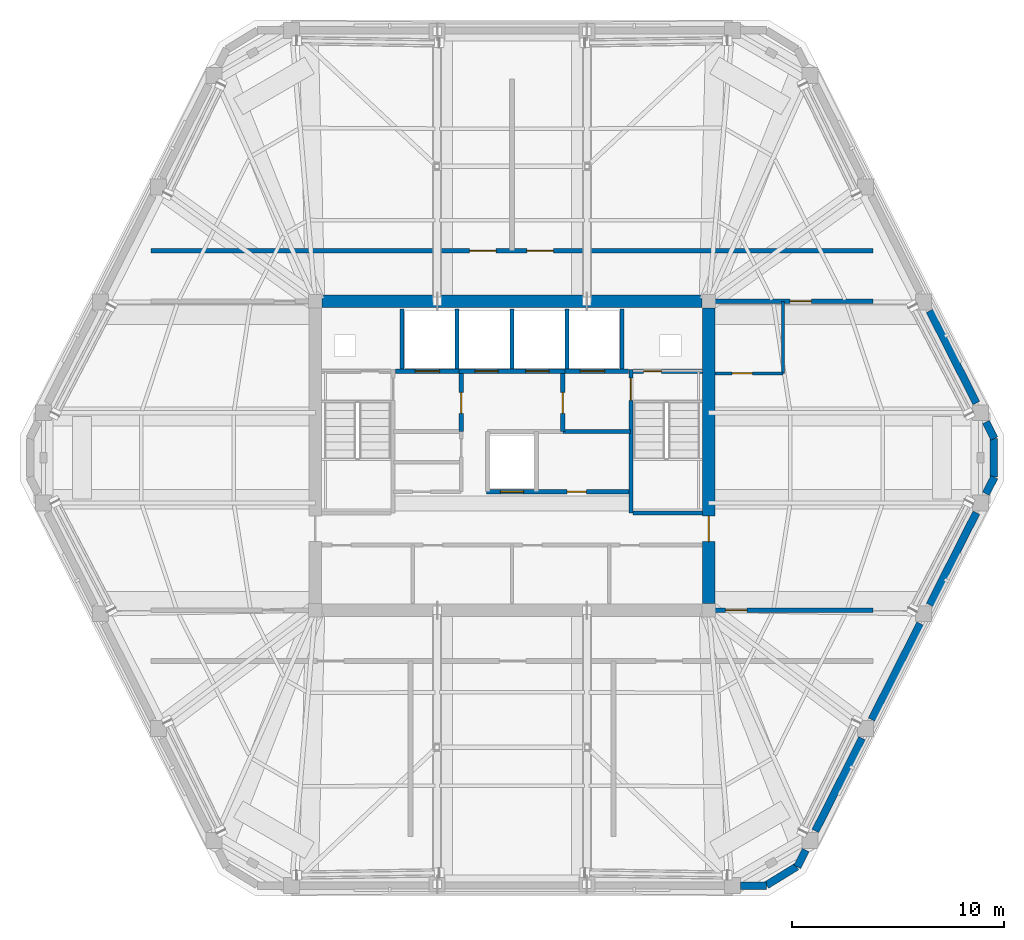
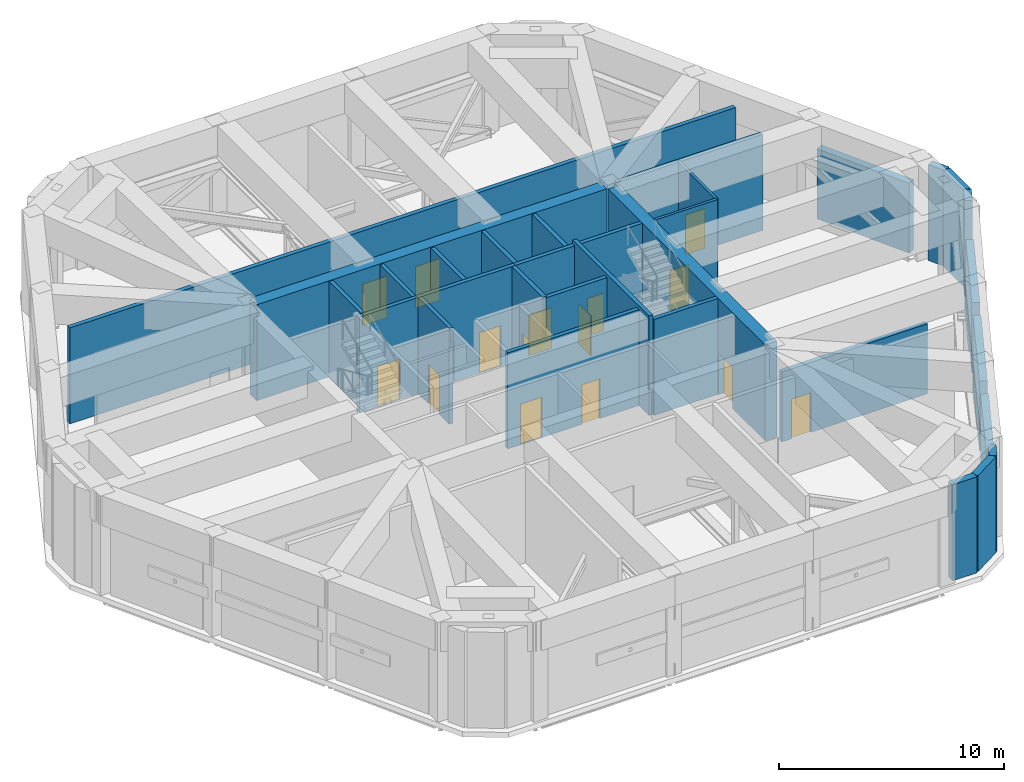
# One storey, part 11 of 15: 32 walls, 16 doors, 16 openings.
"""IFC4 building model written with IfcOpenShell, lengths in metres."""

from ifc_helpers import new_model, si_unit, direction, frame, frame_2d, origin, place, context, subcontext, project, spatial, rectangle, extrude, material, layer, layer_set, type_object, element, fill, save


model = new_model("IFC4")

# Units and contexts
model_context = context("Model", 3, precision=1e-05, world=origin(), true_north=direction((0.0, 1.0)))
body_context = subcontext(model_context, "Body", "Model", "MODEL_VIEW")
ifc_project = project(units=[si_unit("LENGTHUNIT", "METRE"), si_unit("AREAUNIT", "SQUARE_METRE"), si_unit("VOLUMEUNIT", "CUBIC_METRE"), si_unit("PLANEANGLEUNIT", "RADIAN"), si_unit("MASSUNIT", "GRAM", prefix="KILO")], contexts=[model_context])

# Site, building, storey
site_placement = place(None, origin())
site = spatial("IfcSite", under=ifc_project, at=site_placement, CompositionType="ELEMENT")
building_placement = place(site_placement, origin())
building = spatial("IfcBuilding", under=site, at=building_placement, Name="Cinnabar Lancet Tower", CompositionType="ELEMENT")
storey_placement = place(building_placement, frame((0.0, 0.0, 221.60009765625)))
storey = spatial("IfcBuildingStorey", under=building, at=storey_placement, Name="L59", CompositionType="ELEMENT", Elevation=221.60009765625)

# Wall, opening, door
ifc_material_1 = material(Name="Acoustic masonry plant room wall", Category="masonry")
ifc_layer_1 = layer(ifc_material_1, 0.219970703125)
ifc_layer_set_1 = layer_set([ifc_layer_1], Name="Acoustic masonry plant room wall")
wall_type_1 = type_object("IfcWallType", Name="ARC-WL-PLANT-220", PredefinedType="PARTITIONING", material=ifc_layer_set_1)
wall_1_placement = place(storey_placement, frame((42.0, 18.60009765625, 0.0), z_axis=(0.0, 0.0, 1.0), x_axis=(1.0, 0.0, 0.0)))
wall_1 = element("IfcWall", 1, at=wall_1_placement, inside=storey, type_object=wall_type_1, Name="PW-L59-RFES", PredefinedType="PARTITIONING", context=body_context, shape_type="SweptSolid", body=[
    extrude(rectangle(XDim=7.4580078125, YDim=0.219970703125, at=frame_2d((3.72900390625, 0.0))), origin(), (0.0, 0.0, 1.0), 3.789794921875),
])
opening_1_placement = place(wall_1_placement, frame((0.5, 0.0, 0.0)))
opening_1 = element("IfcOpeningElement", 2, at=opening_1_placement, cuts=wall_1, Name="Opening FD-01", PredefinedType="OPENING", context=body_context, shape_type="SweptSolid", body=[
    extrude(rectangle(XDim=1.0, YDim=2.14990234375, at=frame_2d((0.5, 1.074951171875))), frame((0.0, 0.119873046875, 0.0), z_axis=(0.0, -1.0, 0.0), x_axis=(1.0, 0.0, 0.0)), (0.0, 0.0, 1.0), 0.239990234375),
])
ifc_material_2 = material(Name="Fire-rated timber-core lobby door", Category="wood")
door_type_1 = type_object("IfcDoorType", Name="ARC-DR-FFAL", OperationType="NOTDEFINED", PredefinedType="DOOR", material=ifc_material_2)
door_1_placement = place(opening_1_placement, origin())
door_1 = element("IfcDoor", 3, at=door_1_placement, inside=storey, type_object=door_type_1, Name="L59 Plant Corridor Fire Door RES", OperationType="SINGLE_SWING_LEFT", OverallHeight=2.14990234375, OverallWidth=1.0, PredefinedType="DOOR", context=body_context, shape_type="SweptSolid", body=[
    extrude(rectangle(XDim=1.0, YDim=2.14990234375, at=frame_2d((0.5, 1.074951171875))), frame((0.0, 0.02490234375, 0.0), z_axis=(0.0, -1.0, 0.0), x_axis=(1.0, 0.0, 0.0)), (0.0, 0.0, 1.0), 0.050048828125),
])
fill(opening_1, door_1)

wall_2_placement = place(storey_placement, frame((42.0, 33.199951171875, 0.0), z_axis=(0.0, 0.0, 1.0), x_axis=(1.0, 0.0, 0.0)))
wall_2 = element("IfcWall", 4, at=wall_2_placement, inside=storey, type_object=wall_type_1, Name="PW-L59-RFEN", PredefinedType="PARTITIONING", context=body_context, shape_type="SweptSolid", body=[
    extrude(rectangle(XDim=7.4580078125, YDim=0.219970703125, at=frame_2d((3.72900390625, 0.0))), origin(), (0.0, 0.0, 1.0), 5.199951171875),
])
opening_2_placement = place(wall_2_placement, frame((3.550048828125, 0.0, 0.0)))
opening_2 = element("IfcOpeningElement", 5, at=opening_2_placement, cuts=wall_2, Name="Opening FD-01", PredefinedType="OPENING", context=body_context, shape_type="SweptSolid", body=[
    extrude(rectangle(XDim=1.0, YDim=2.14990234375, at=frame_2d((0.5, 1.074951171875))), frame((0.0, 0.119873046875, 0.0), z_axis=(0.0, -1.0, 0.0), x_axis=(1.0, 0.0, 0.0)), (0.0, 0.0, 1.0), 0.239990234375),
])
door_2_placement = place(opening_2_placement, origin())
door_2 = element("IfcDoor", 6, at=door_2_placement, inside=storey, type_object=door_type_1, Name="L59 Plant Corridor Fire Door REN", OperationType="SINGLE_SWING_LEFT", OverallHeight=2.14990234375, OverallWidth=1.0, PredefinedType="DOOR", context=body_context, shape_type="SweptSolid", body=[
    extrude(rectangle(XDim=1.0, YDim=2.14990234375, at=frame_2d((0.5, 1.074951171875))), frame((0.0, 0.02490234375, 0.0), z_axis=(0.0, -1.0, 0.0), x_axis=(1.0, 0.0, 0.0)), (0.0, 0.0, 1.0), 0.050048828125),
])
fill(opening_2, door_2)

# Wall, openings, doors
wall_3_placement = place(storey_placement, frame((15.342041015625, 35.60009765625, 0.0), z_axis=(0.0, 0.0, 1.0), x_axis=(1.0, 0.0, 0.0)))
wall_3 = element("IfcWall", 7, at=wall_3_placement, inside=storey, type_object=wall_type_1, Name="PW-L59-NPLN", PredefinedType="PARTITIONING", context=body_context, shape_type="SweptSolid", body=[
    extrude(rectangle(XDim=34.115966796875, YDim=0.219970703125, at=frame_2d((17.05810546875, 0.0))), origin(), (0.0, 0.0, 1.0), 5.199951171875),
])
opening_3_placement = place(wall_3_placement, frame((15.05810546875, 0.0, 0.0)))
opening_3 = element("IfcOpeningElement", 8, at=opening_3_placement, cuts=wall_3, Name="Opening PD-01", PredefinedType="OPENING", context=body_context, shape_type="SweptSolid", body=[
    extrude(rectangle(XDim=1.25, YDim=2.25, at=frame_2d((0.625, 1.125))), frame((0.0, 0.119873046875, 0.0), z_axis=(0.0, -1.0, 0.0), x_axis=(1.0, 0.0, 0.0)), (0.0, 0.0, 1.0), 0.239990234375),
])
opening_4_placement = place(wall_3_placement, frame((17.758056640625, 0.0, 0.0)))
opening_4 = element("IfcOpeningElement", 9, at=opening_4_placement, cuts=wall_3, Name="Opening PD-01", PredefinedType="OPENING", context=body_context, shape_type="SweptSolid", body=[
    extrude(rectangle(XDim=1.25, YDim=2.25, at=frame_2d((0.625, 1.125))), frame((0.0, 0.119873046875, 0.0), z_axis=(0.0, -1.0, 0.0), x_axis=(1.0, 0.0, 0.0)), (0.0, 0.0, 1.0), 0.239990234375),
])
ifc_material_3 = material(Name="Louvred fire-rated steel plant room double door", Category="steel")
door_type_2 = type_object("IfcDoorType", Name="ARC-DR-PLANT", OperationType="NOTDEFINED", PredefinedType="DOOR", material=ifc_material_3)
door_3_placement = place(opening_3_placement, origin())
door_3 = element("IfcDoor", 10, at=door_3_placement, inside=storey, type_object=door_type_2, Name="DR-L59-NPL1", OperationType="SINGLE_SWING_RIGHT", OverallHeight=2.25, OverallWidth=1.25, PredefinedType="DOOR", context=body_context, shape_type="SweptSolid", body=[
    extrude(rectangle(XDim=1.25, YDim=2.25, at=frame_2d((0.625, 1.125))), frame((0.0, 0.02490234375, 0.0), z_axis=(0.0, -1.0, 0.0), x_axis=(1.0, 0.0, 0.0)), (0.0, 0.0, 1.0), 0.050048828125),
])
fill(opening_3, door_3)
door_4_placement = place(opening_4_placement, origin())
door_4 = element("IfcDoor", 11, at=door_4_placement, inside=storey, type_object=door_type_2, Name="DR-L59-NPL2", OperationType="SINGLE_SWING_RIGHT", OverallHeight=2.25, OverallWidth=1.25, PredefinedType="DOOR", context=body_context, shape_type="SweptSolid", body=[
    extrude(rectangle(XDim=1.25, YDim=2.25, at=frame_2d((0.625, 1.125))), frame((0.0, 0.02490234375, 0.0), z_axis=(0.0, -1.0, 0.0), x_axis=(1.0, 0.0, 0.0)), (0.0, 0.0, 1.0), 0.050048828125),
])
fill(opening_4, door_4)

# Wall
ifc_material_4 = material(Name="Autoclaved aerated concrete blockwork", Category="masonry")
ifc_layer_2 = layer(ifc_material_4, 0.199951171875)
ifc_layer_set_2 = layer_set([ifc_layer_2], Name="Autoclaved aerated concrete blockwork")
wall_type_2 = type_object("IfcWallType", Name="ARC-WL-SHAFT-200", PredefinedType="PLUMBINGWALL", material=ifc_layer_set_2)
wall_4_placement = place(storey_placement, frame((38.125, 23.199951171875, 0.0), z_axis=(0.0, 0.0, 1.0), x_axis=(1.0, 0.0, 0.0)))
element("IfcWall", 12, at=wall_4_placement, inside=storey, type_object=wall_type_2, Name="CW-ST2S-L59", PredefinedType="PLUMBINGWALL", context=body_context, shape_type="SweptSolid", body=[
    extrude(rectangle(XDim=3.27001953125, YDim=0.199951171875, at=frame_2d((1.635009765625, 0.0))), origin(), (0.0, 0.0, 1.0), 5.199951171875),
])

# Wall, opening, door
wall_5_placement = place(storey_placement, frame((26.885009765625, 29.89990234375, 0.0), z_axis=(0.0, 0.0, 1.0), x_axis=(1.0, 0.0, 0.0)))
wall_5 = element("IfcWall", 13, at=wall_5_placement, inside=storey, type_object=wall_type_2, Name="CW-FL1-L59", PredefinedType="PLUMBINGWALL", context=body_context, shape_type="SweptSolid", body=[
    extrude(rectangle(XDim=3.014892578125, YDim=0.199951171875, at=frame_2d((1.50732421875, 0.0))), origin(), (0.0, 0.0, 1.0), 5.199951171875),
])
opening_5_placement = place(wall_5_placement, frame((0.93994140625, 0.0, 0.0)))
opening_5 = element("IfcOpeningElement", 14, at=opening_5_placement, cuts=wall_5, Name="Opening LD-02", PredefinedType="OPENING", context=body_context, shape_type="SweptSolid", body=[
    extrude(rectangle(XDim=1.14990234375, YDim=2.199951171875, at=frame_2d((0.574951171875, 1.10009765625))), frame((0.0, 0.10986328125, 0.0), z_axis=(0.0, -1.0, 0.0), x_axis=(1.0, 0.0, 0.0)), (0.0, 0.0, 1.0), 0.219970703125),
])
ifc_material_5 = material(Name="Fire-rated stainless steel firefighting lift landing door", Category="steel")
door_type_3 = type_object("IfcDoorType", Name="ARC-DR-LD-FIRE", OperationType="NOTDEFINED", PredefinedType="DOOR", material=ifc_material_5)
door_5_placement = place(opening_5_placement, origin())
door_5 = element("IfcDoor", 15, at=door_5_placement, inside=storey, type_object=door_type_3, Name="L59 Firefighting Lift FL-1 Landing Door", OperationType="DOUBLE_DOOR_SLIDING", OverallHeight=2.199951171875, OverallWidth=1.14990234375, PredefinedType="DOOR", context=body_context, shape_type="SweptSolid", body=[
    extrude(rectangle(XDim=1.14990234375, YDim=2.199951171875, at=frame_2d((0.574951171875, 1.10009765625))), frame((0.0, 0.02490234375, 0.0), z_axis=(0.0, -1.0, 0.0), x_axis=(1.0, 0.0, 0.0)), (0.0, 0.0, 1.0), 0.050048828125),
])
fill(opening_5, door_5)

# Wall, openings, doors
wall_6_placement = place(storey_placement, frame((29.89990234375, 29.89990234375, 0.0), z_axis=(0.0, 0.0, 1.0), x_axis=(1.0, 0.0, 0.0)))
wall_6 = element("IfcWall", 16, at=wall_6_placement, inside=storey, type_object=wall_type_2, Name="CW-PL78-L59", PredefinedType="PLUMBINGWALL", context=body_context, shape_type="SweptSolid", body=[
    extrude(rectangle(XDim=5.0, YDim=0.199951171875, at=frame_2d((2.5, 0.0))), origin(), (0.0, 0.0, 1.0), 5.199951171875),
])
opening_6_placement = place(wall_6_placement, frame((0.75, 0.0, 0.0)))
opening_6 = element("IfcOpeningElement", 17, at=opening_6_placement, cuts=wall_6, Name="Opening LD-01", PredefinedType="OPENING", context=body_context, shape_type="SweptSolid", body=[
    extrude(rectangle(XDim=1.10009765625, YDim=2.199951171875, at=frame_2d((0.550048828125, 1.10009765625))), frame((0.0, 0.10986328125, 0.0), z_axis=(0.0, -1.0, 0.0), x_axis=(1.0, 0.0, 0.0)), (0.0, 0.0, 1.0), 0.219970703125),
])
opening_7_placement = place(wall_6_placement, frame((3.14990234375, 0.0, 0.0)))
opening_7 = element("IfcOpeningElement", 18, at=opening_7_placement, cuts=wall_6, Name="Opening LD-01", PredefinedType="OPENING", context=body_context, shape_type="SweptSolid", body=[
    extrude(rectangle(XDim=1.10009765625, YDim=2.199951171875, at=frame_2d((0.550048828125, 1.10009765625))), frame((0.0, 0.10986328125, 0.0), z_axis=(0.0, -1.0, 0.0), x_axis=(1.0, 0.0, 0.0)), (0.0, 0.0, 1.0), 0.219970703125),
])
ifc_material_6 = material(Name="Brushed stainless steel sliding lift door", Category="steel")
door_type_4 = type_object("IfcDoorType", Name="ARC-DR-LD-PASS", OperationType="NOTDEFINED", PredefinedType="DOOR", material=ifc_material_6)
door_6_placement = place(opening_6_placement, origin())
door_6 = element("IfcDoor", 19, at=door_6_placement, inside=storey, type_object=door_type_4, Name="L59 Lift PL-7 Landing Door", OperationType="DOUBLE_DOOR_SLIDING", OverallHeight=2.199951171875, OverallWidth=1.10009765625, PredefinedType="DOOR", context=body_context, shape_type="SweptSolid", body=[
    extrude(rectangle(XDim=1.10009765625, YDim=2.199951171875, at=frame_2d((0.550048828125, 1.10009765625))), frame((0.0, 0.02490234375, 0.0), z_axis=(0.0, -1.0, 0.0), x_axis=(1.0, 0.0, 0.0)), (0.0, 0.0, 1.0), 0.050048828125),
])
fill(opening_6, door_6)
door_7_placement = place(opening_7_placement, origin())
door_7 = element("IfcDoor", 20, at=door_7_placement, inside=storey, type_object=door_type_4, Name="L59 Lift PL-8 Landing Door", OperationType="DOUBLE_DOOR_SLIDING", OverallHeight=2.199951171875, OverallWidth=1.10009765625, PredefinedType="DOOR", context=body_context, shape_type="SweptSolid", body=[
    extrude(rectangle(XDim=1.10009765625, YDim=2.199951171875, at=frame_2d((0.550048828125, 1.10009765625))), frame((0.0, 0.02490234375, 0.0), z_axis=(0.0, -1.0, 0.0), x_axis=(1.0, 0.0, 0.0)), (0.0, 0.0, 1.0), 0.050048828125),
])
fill(opening_7, door_7)

# Wall, opening, door
wall_7_placement = place(storey_placement, frame((34.89990234375, 29.89990234375, 0.0), z_axis=(0.0, 0.0, 1.0), x_axis=(1.0, 0.0, 0.0)))
wall_7 = element("IfcWall", 21, at=wall_7_placement, inside=storey, type_object=wall_type_2, Name="CW-FL2-L59", PredefinedType="PLUMBINGWALL", context=body_context, shape_type="SweptSolid", body=[
    extrude(rectangle(XDim=3.01513671875, YDim=0.199951171875, at=frame_2d((1.507568359375, 0.0))), origin(), (0.0, 0.0, 1.0), 5.199951171875),
])
opening_8_placement = place(wall_7_placement, frame((0.72509765625, 0.0, 0.0)))
opening_8 = element("IfcOpeningElement", 22, at=opening_8_placement, cuts=wall_7, Name="Opening LD-02", PredefinedType="OPENING", context=body_context, shape_type="SweptSolid", body=[
    extrude(rectangle(XDim=1.14990234375, YDim=2.199951171875, at=frame_2d((0.574951171875, 1.10009765625))), frame((0.0, 0.10986328125, 0.0), z_axis=(0.0, -1.0, 0.0), x_axis=(1.0, 0.0, 0.0)), (0.0, 0.0, 1.0), 0.219970703125),
])
door_8_placement = place(opening_8_placement, origin())
door_8 = element("IfcDoor", 23, at=door_8_placement, inside=storey, type_object=door_type_3, Name="L59 Firefighting Lift FL-2 Landing Door", OperationType="DOUBLE_DOOR_SLIDING", OverallHeight=2.199951171875, OverallWidth=1.14990234375, PredefinedType="DOOR", context=body_context, shape_type="SweptSolid", body=[
    extrude(rectangle(XDim=1.14990234375, YDim=2.199951171875, at=frame_2d((0.574951171875, 1.10009765625))), frame((0.0, 0.02490234375, 0.0), z_axis=(0.0, -1.0, 0.0), x_axis=(1.0, 0.0, 0.0)), (0.0, 0.0, 1.0), 0.050048828125),
])
fill(opening_8, door_8)

wall_8_placement = place(storey_placement, frame((38.125, 29.89990234375, 0.0), z_axis=(0.0, 0.0, 1.0), x_axis=(1.0, 0.0, 0.0)))
wall_8 = element("IfcWall", 24, at=wall_8_placement, inside=storey, type_object=wall_type_2, Name="CW-NSH-E-L59", PredefinedType="PLUMBINGWALL", context=body_context, shape_type="SweptSolid", body=[
    extrude(rectangle(XDim=3.27001953125, YDim=0.199951171875, at=frame_2d((1.635009765625, 0.0))), origin(), (0.0, 0.0, 1.0), 5.199951171875),
])
opening_9_placement = place(wall_8_placement, frame((0.5, 0.0, 0.0)))
opening_9 = element("IfcOpeningElement", 25, at=opening_9_placement, cuts=wall_8, Name="Opening PD-02", PredefinedType="OPENING", context=body_context, shape_type="SweptSolid", body=[
    extrude(rectangle(XDim=0.85009765625, YDim=2.050048828125, at=frame_2d((0.425048828125, 1.02490234375))), frame((0.0, 0.10986328125, 0.0), z_axis=(0.0, -1.0, 0.0), x_axis=(1.0, 0.0, 0.0)), (0.0, 0.0, 1.0), 0.219970703125),
])
ifc_material_7 = material(Name="Fire-rated steel riser access door", Category="steel")
door_type_5 = type_object("IfcDoorType", Name="ARC-DR-RISER", OperationType="NOTDEFINED", PredefinedType="DOOR", material=ifc_material_7)
door_9_placement = place(opening_9_placement, origin())
door_9 = element("IfcDoor", 26, at=door_9_placement, inside=storey, type_object=door_type_5, Name="L59 East Riser Access Door", OperationType="SINGLE_SWING_RIGHT", OverallHeight=2.050048828125, OverallWidth=0.85009765625, PredefinedType="DOOR", context=body_context, shape_type="SweptSolid", body=[
    extrude(rectangle(XDim=0.85009765625, YDim=2.050048828125, at=frame_2d((0.425048828125, 1.02490234375))), frame((0.0, 0.02490234375, 0.0), z_axis=(0.0, -1.0, 0.0), x_axis=(1.0, 0.0, 0.0)), (0.0, 0.0, 1.0), 0.050048828125),
])
fill(opening_9, door_9)

# Walls
for number, where, z_axis, x_axis, name in (
    (27, (27.199951171875, 30.0, 0.0), (0.0, 0.0, 1.0), (0.0, 1.0, 0.0), "CW-NSH-D1-L59"),
    (28, (29.800048828125, 30.0, 0.0), (0.0, 0.0, 1.0), (0.0, 1.0, 0.0), "CW-NSH-D2-L59"),
    (29, (32.39990234375, 30.0, 0.0), (0.0, 0.0, 1.0), (0.0, 1.0, 0.0), "CW-NSH-D3-L59"),
    (30, (35.0, 30.0, 0.0), (0.0, 0.0, 1.0), (0.0, 1.0, 0.0), "CW-NSH-D4-L59"),
    (31, (37.60009765625, 30.0, 0.0), (0.0, 0.0, 1.0), (0.0, 1.0, 0.0), "CW-NSH-D5-L59"),
):
    element("IfcWall", number, at=place(storey_placement, frame(where, z_axis=z_axis, x_axis=x_axis)), inside=storey, type_object=wall_type_2, Name=name, PredefinedType="PLUMBINGWALL", context=body_context, shape_type="SweptSolid", body=[
        extrude(rectangle(XDim=2.85009765625, YDim=0.199951171875, at=frame_2d((1.425048828125, 0.0))), origin(), (0.0, 0.0, 1.0), 5.199951171875),
    ])

# Wall, opening, door
wall_9_placement = place(storey_placement, frame((30.0, 27.050048828125, 0.0), z_axis=(0.0, 0.0, 1.0), x_axis=(0.0, 1.0, 0.0)))
wall_9 = element("IfcWall", 32, at=wall_9_placement, inside=storey, type_object=wall_type_2, Name="CW-FF1E-L59", PredefinedType="PLUMBINGWALL", context=body_context, shape_type="SweptSolid", body=[
    extrude(rectangle(XDim=2.75, YDim=0.199951171875, at=frame_2d((1.375, 0.0))), origin(), (0.0, 0.0, 1.0), 5.199951171875),
])
opening_10_placement = place(wall_9_placement, frame((0.85009765625, 0.0, 0.0)))
opening_10 = element("IfcOpeningElement", 33, at=opening_10_placement, cuts=wall_9, Name="Opening FD-01", PredefinedType="OPENING", context=body_context, shape_type="SweptSolid", body=[
    extrude(rectangle(XDim=1.0, YDim=2.14990234375, at=frame_2d((0.5, 1.074951171875))), frame((0.0, 0.10986328125, 0.0), z_axis=(0.0, -1.0, 0.0), x_axis=(1.0, 0.0, 0.0)), (0.0, 0.0, 1.0), 0.219970703125),
])
door_10_placement = place(opening_10_placement, origin())
door_10 = element("IfcDoor", 34, at=door_10_placement, inside=storey, type_object=door_type_1, Name="L59 FFAL-1 Lobby Fire Door", OperationType="SINGLE_SWING_RIGHT", OverallHeight=2.14990234375, OverallWidth=1.0, PredefinedType="DOOR", context=body_context, shape_type="SweptSolid", body=[
    extrude(rectangle(XDim=1.0, YDim=2.14990234375, at=frame_2d((0.5, 1.074951171875))), frame((0.0, 0.02490234375, 0.0), z_axis=(0.0, -1.0, 0.0), x_axis=(1.0, 0.0, 0.0)), (0.0, 0.0, 1.0), 0.050048828125),
])
fill(opening_10, door_10)

wall_10_placement = place(storey_placement, frame((34.800048828125, 27.050048828125, 0.0), z_axis=(0.0, 0.0, 1.0), x_axis=(0.0, 1.0, 0.0)))
wall_10 = element("IfcWall", 35, at=wall_10_placement, inside=storey, type_object=wall_type_2, Name="CW-FF2W-L59", PredefinedType="PLUMBINGWALL", context=body_context, shape_type="SweptSolid", body=[
    extrude(rectangle(XDim=2.75, YDim=0.199951171875, at=frame_2d((1.375, 0.0))), origin(), (0.0, 0.0, 1.0), 5.199951171875),
])
opening_11_placement = place(wall_10_placement, frame((0.85009765625, 0.0, 0.0)))
opening_11 = element("IfcOpeningElement", 36, at=opening_11_placement, cuts=wall_10, Name="Opening FD-01", PredefinedType="OPENING", context=body_context, shape_type="SweptSolid", body=[
    extrude(rectangle(XDim=1.0, YDim=2.14990234375, at=frame_2d((0.5, 1.074951171875))), frame((0.0, 0.10986328125, 0.0), z_axis=(0.0, -1.0, 0.0), x_axis=(1.0, 0.0, 0.0)), (0.0, 0.0, 1.0), 0.219970703125),
])
door_11_placement = place(opening_11_placement, origin())
door_11 = element("IfcDoor", 37, at=door_11_placement, inside=storey, type_object=door_type_1, Name="L59 FFAL-2 Lobby Fire Door", OperationType="SINGLE_SWING_LEFT", OverallHeight=2.14990234375, OverallWidth=1.0, PredefinedType="DOOR", context=body_context, shape_type="SweptSolid", body=[
    extrude(rectangle(XDim=1.0, YDim=2.14990234375, at=frame_2d((0.5, 1.074951171875))), frame((0.0, 0.02490234375, 0.0), z_axis=(0.0, -1.0, 0.0), x_axis=(1.0, 0.0, 0.0)), (0.0, 0.0, 1.0), 0.050048828125),
])
fill(opening_11, door_11)

# Wall
wall_11_placement = place(storey_placement, frame((34.800048828125, 27.050048828125, 0.0), z_axis=(0.0, 0.0, 1.0), x_axis=(1.0, 0.0, 0.0)))
element("IfcWall", 38, at=wall_11_placement, inside=storey, type_object=wall_type_2, Name="CW-FF2S-L59", PredefinedType="PLUMBINGWALL", context=body_context, shape_type="SweptSolid", body=[
    extrude(rectangle(XDim=3.199951171875, YDim=0.199951171875, at=frame_2d((1.60009765625, 0.0))), origin(), (0.0, 0.0, 1.0), 5.199951171875),
])

# Wall, openings, doors
wall_12_placement = place(storey_placement, frame((31.199951171875, 24.199951171875, 0.0), z_axis=(0.0, 0.0, 1.0), x_axis=(1.0, 0.0, 0.0)))
wall_12 = element("IfcWall", 39, at=wall_12_placement, inside=storey, type_object=wall_type_2, Name="CW-PL96S-L59", PredefinedType="PLUMBINGWALL", context=body_context, shape_type="SweptSolid", body=[
    extrude(rectangle(XDim=6.800048828125, YDim=0.199951171875, at=frame_2d((3.39990234375, 0.0))), origin(), (0.0, 0.0, 1.0), 5.199951171875),
])
opening_12_placement = place(wall_12_placement, frame((0.64990234375, 0.0, 0.0)))
opening_12 = element("IfcOpeningElement", 40, at=opening_12_placement, cuts=wall_12, Name="Opening LD-01", PredefinedType="OPENING", context=body_context, shape_type="SweptSolid", body=[
    extrude(rectangle(XDim=1.10009765625, YDim=2.199951171875, at=frame_2d((0.550048828125, 1.10009765625))), frame((0.0, 0.10986328125, 0.0), z_axis=(0.0, -1.0, 0.0), x_axis=(1.0, 0.0, 0.0)), (0.0, 0.0, 1.0), 0.219970703125),
])
opening_13_placement = place(wall_12_placement, frame((3.800048828125, 0.0, 0.0)))
opening_13 = element("IfcOpeningElement", 41, at=opening_13_placement, cuts=wall_12, Name="Opening RD-01", PredefinedType="OPENING", context=body_context, shape_type="SweptSolid", body=[
    extrude(rectangle(XDim=0.919921875, YDim=2.14990234375, at=frame_2d((0.4599609375, 1.074951171875))), frame((0.0, 0.10986328125, 0.0), z_axis=(0.0, -1.0, 0.0), x_axis=(1.0, 0.0, 0.0)), (0.0, 0.0, 1.0), 0.219970703125),
])
door_12_placement = place(opening_12_placement, origin())
door_12 = element("IfcDoor", 42, at=door_12_placement, inside=storey, type_object=door_type_4, Name="L59 Lift PL-9 Landing Door", OperationType="DOUBLE_DOOR_SLIDING", OverallHeight=2.199951171875, OverallWidth=1.10009765625, PredefinedType="DOOR", context=body_context, shape_type="SweptSolid", body=[
    extrude(rectangle(XDim=1.10009765625, YDim=2.199951171875, at=frame_2d((0.550048828125, 1.10009765625))), frame((0.0, 0.02490234375, 0.0), z_axis=(0.0, -1.0, 0.0), x_axis=(1.0, 0.0, 0.0)), (0.0, 0.0, 1.0), 0.050048828125),
])
fill(opening_12, door_12)
ifc_material_8 = material(Name="Engineered timber bedroom door", Category="wood")
door_type_6 = type_object("IfcDoorType", Name="ARC-DR-ROOM", OperationType="NOTDEFINED", PredefinedType="DOOR", material=ifc_material_8)
door_13_placement = place(opening_13_placement, origin())
door_13 = element("IfcDoor", 43, at=door_13_placement, inside=storey, type_object=door_type_6, Name="DR-L59-REC6", OperationType="SINGLE_SWING_RIGHT", OverallHeight=2.14990234375, OverallWidth=0.919921875, PredefinedType="DOOR", context=body_context, shape_type="SweptSolid", body=[
    extrude(rectangle(XDim=0.919921875, YDim=2.14990234375, at=frame_2d((0.4599609375, 1.074951171875))), frame((0.0, 0.02490234375, 0.0), z_axis=(0.0, -1.0, 0.0), x_axis=(1.0, 0.0, 0.0)), (0.0, 0.0, 1.0), 0.050048828125),
])
fill(opening_13, door_13)

# Wall, opening, door
ifc_material_9 = material(Name="Moisture-resistant cement-board plumbing wall", Category="masonry")
ifc_layer_3 = layer(ifc_material_9, 0.139892578125)
ifc_layer_set_3 = layer_set([ifc_layer_3], Name="Moisture-resistant cement-board plumbing wall")
wall_type_3 = type_object("IfcWallType", Name="ARC-WL-WET-140", PredefinedType="PLUMBINGWALL", material=ifc_layer_set_3)
wall_13_placement = place(storey_placement, frame((42.0, 29.800048828125, 0.0), z_axis=(0.0, 0.0, 1.0), x_axis=(1.0, 0.0, 0.0)))
wall_13 = element("IfcWall", 44, at=wall_13_placement, inside=storey, type_object=wall_type_3, Name="PW-L59-RFWCS", PredefinedType="PLUMBINGWALL", context=body_context, shape_type="SweptSolid", body=[
    extrude(rectangle(XDim=3.199951171875, YDim=0.139892578125, at=frame_2d((1.60009765625, 0.0))), origin(), (0.0, 0.0, 1.0), 5.199951171875),
])
opening_14_placement = place(wall_13_placement, frame((0.800048828125, 0.0, 0.0)))
opening_14 = element("IfcOpeningElement", 45, at=opening_14_placement, cuts=wall_13, Name="Opening BD-02", PredefinedType="OPENING", context=body_context, shape_type="SweptSolid", body=[
    extrude(rectangle(XDim=0.9599609375, YDim=2.14990234375, at=frame_2d((0.47998046875, 1.074951171875))), frame((0.0, 0.079833984375, 0.0), z_axis=(0.0, -1.0, 0.0), x_axis=(1.0, 0.0, 0.0)), (0.0, 0.0, 1.0), 0.159912109375),
])
ifc_material_10 = material(Name="Accessible wide-leaf washroom door", Category="wood")
door_type_7 = type_object("IfcDoorType", Name="ARC-DR-ACCWC", OperationType="NOTDEFINED", PredefinedType="DOOR", material=ifc_material_10)
door_14_placement = place(opening_14_placement, origin())
door_14 = element("IfcDoor", 46, at=door_14_placement, inside=storey, type_object=door_type_7, Name="DR-L59-RFWC", OperationType="SINGLE_SWING_LEFT", OverallHeight=2.14990234375, OverallWidth=0.9599609375, PredefinedType="DOOR", context=body_context, shape_type="SweptSolid", body=[
    extrude(rectangle(XDim=0.9599609375, YDim=2.14990234375, at=frame_2d((0.47998046875, 1.074951171875))), frame((0.0, 0.02490234375, 0.0), z_axis=(0.0, -1.0, 0.0), x_axis=(1.0, 0.0, 0.0)), (0.0, 0.0, 1.0), 0.050048828125),
])
fill(opening_14, door_14)

# Walls
wall_14_placement = place(storey_placement, frame((45.199951171875, 29.800048828125, 0.0), z_axis=(0.0, 0.0, 1.0), x_axis=(0.0, 1.0, 0.0)))
element("IfcWall", 47, at=wall_14_placement, inside=storey, type_object=wall_type_3, Name="PW-L59-RFWCE", PredefinedType="PLUMBINGWALL", context=body_context, shape_type="SweptSolid", body=[
    extrude(rectangle(XDim=3.39990234375, YDim=0.139892578125, at=frame_2d((1.699951171875, 0.0))), origin(), (0.0, 0.0, 1.0), 5.199951171875),
])
ifc_material_11 = material(Name="Dark charcoal engineering brick", Category="masonry")
ifc_layer_4 = layer(ifc_material_11, 0.360107421875)
ifc_layer_set_4 = layer_set([ifc_layer_4], Name="Dark charcoal engineering brick")
wall_type_4 = type_object("IfcWallType", Name="ENV-WL-BRK-CHR-360", PredefinedType="STANDARD", material=ifc_layer_set_4)
wall_15_placement = place(storey_placement, frame((44.43505859375, 5.60693359375, 0.0), z_axis=(0.0, 0.0, 1.0), x_axis=(0.852179220489, 0.52325001306, 0.0)))
element("IfcWall", 48, at=wall_15_placement, inside=storey, type_object=wall_type_4, Name="L59 Chamfered Corner Brick Pier 2.1", PredefinedType="STANDARD", context=body_context, shape_type="SweptSolid", body=[
    extrude(rectangle(XDim=1.672119140625, YDim=0.360107421875, at=frame_2d((0.8359375, 0.0))), origin(), (0.0, 0.0, 1.0), 5.199951171875),
])
wall_16_placement = place(storey_placement, frame((55.177978515625, 24.89501953125, 0.0), z_axis=(0.0, 0.0, 1.0), x_axis=(0.0, 1.0, 0.0)))
element("IfcWall", 49, at=wall_16_placement, inside=storey, type_object=wall_type_4, Name="L59 Chamfered Corner Brick Pier 3.1", PredefinedType="STANDARD", context=body_context, shape_type="SweptSolid", body=[
    extrude(rectangle(XDim=1.81005859375, YDim=0.360107421875, at=frame_2d((0.905029296875, 0.0))), origin(), (0.0, 0.0, 1.0), 5.199951171875),
])
wall_17_placement = place(storey_placement, frame((43.199951171875, 5.580078125, 0.0), z_axis=(0.0, 0.0, 1.0), x_axis=(1.0, 0.0, 0.0)))
element("IfcWall", 50, at=wall_17_placement, inside=storey, type_object=wall_type_4, Name="L59 Face 1 Masonry Bay Wall 5", PredefinedType="STANDARD", context=body_context, shape_type="SweptSolid", body=[
    extrude(rectangle(XDim=1.240966796875, YDim=0.360107421875, at=frame_2d((0.62060546875, 0.0))), origin(), (0.0, 0.0, 1.0), 5.199951171875),
])
wall_18_placement = place(storey_placement, frame((45.881103515625, 6.465087890625, 0.0), z_axis=(0.0, 0.0, 1.0), x_axis=(0.451165850885, 0.89244012404, 0.0)))
element("IfcWall", 51, at=wall_18_placement, inside=storey, type_object=wall_type_4, Name="L59 Face 2 Masonry Bay Wall 1", PredefinedType="STANDARD", context=body_context, shape_type="SweptSolid", body=[
    extrude(rectangle(XDim=0.888427734375, YDim=0.360107421875, at=frame_2d((0.4443359375, 0.0))), origin(), (0.0, 0.0, 1.0), 5.199951171875),
])
wall_19_placement = place(storey_placement, frame((46.739990234375, 8.1640625, 0.0), z_axis=(0.0, 0.0, 1.0), x_axis=(0.451389625798, 0.892326961221, 0.0)))
element("IfcWall", 52, at=wall_19_placement, inside=storey, type_object=wall_type_4, Name="L59 Face 2 Masonry Bay Wall 2", PredefinedType="STANDARD", context=body_context, shape_type="SweptSolid", body=[
    extrude(rectangle(XDim=4.905029296875, YDim=0.360107421875, at=frame_2d((2.45263671875, 0.0))), origin(), (0.0, 0.0, 1.0), 3.789794921875),
])
wall_20_placement = place(storey_placement, frame((49.403076171875, 13.427001953125, 0.0), z_axis=(0.0, 0.0, 1.0), x_axis=(0.451276600056, 0.892384127067, 0.0)))
element("IfcWall", 53, at=wall_20_placement, inside=storey, type_object=wall_type_4, Name="L59 Face 2 Masonry Bay Wall 3", PredefinedType="STANDARD", context=body_context, shape_type="SweptSolid", body=[
    extrude(rectangle(XDim=5.08984375, YDim=0.360107421875, at=frame_2d((2.544921875, 0.0))), origin(), (0.0, 0.0, 1.0), 3.789794921875),
])
wall_21_placement = place(storey_placement, frame((52.14697265625, 18.85302734375, 0.0), z_axis=(0.0, 0.0, 1.0), x_axis=(0.451410620906, 0.892316340394, 0.0)))
element("IfcWall", 54, at=wall_21_placement, inside=storey, type_object=wall_type_4, Name="L59 Face 2 Masonry Bay Wall 4", PredefinedType="STANDARD", context=body_context, shape_type="SweptSolid", body=[
    extrude(rectangle(XDim=4.880615234375, YDim=0.360107421875, at=frame_2d((2.4404296875, 0.0))), origin(), (0.0, 0.0, 1.0), 3.789794921875),
])
for number, where, z_axis, x_axis, name in (
    (55, (54.804931640625, 24.10693359375, 0.0), (0.0, 0.0, 1.0), (0.451337256404, 0.892353450703, 0.0), "L59 Face 2 Masonry Bay Wall 5"),
    (56, (55.199951171875, 26.7119140625, 0.0), (0.0, 0.0, 1.0), (-0.451337256404, 0.892353450703, 0.0), "L59 Face 3 Masonry Bay Wall 1"),
):
    element("IfcWall", number, at=place(storey_placement, frame(where, z_axis=z_axis, x_axis=x_axis)), inside=storey, type_object=wall_type_4, Name=name, PredefinedType="STANDARD", context=body_context, shape_type="SweptSolid", body=[
        extrude(rectangle(XDim=0.875244140625, YDim=0.360107421875, at=frame_2d((0.4375, 0.0))), origin(), (0.0, 0.0, 1.0), 5.199951171875),
    ])
wall_22_placement = place(storey_placement, frame((54.35009765625, 28.39208984375, 0.0), z_axis=(0.0, 0.0, 1.0), x_axis=(-0.451410620906, 0.892316340394, 0.0)))
element("IfcWall", 57, at=wall_22_placement, inside=storey, type_object=wall_type_4, Name="L59 Face 3 Masonry Bay Wall 2", PredefinedType="STANDARD", context=body_context, shape_type="SweptSolid", body=[
    extrude(rectangle(XDim=4.880615234375, YDim=0.360107421875, at=frame_2d((2.4404296875, 0.0))), origin(), (0.0, 0.0, 1.0), 3.789794921875),
])
ifc_material_12 = material(Name="Concrete C60/75", Category="concrete")
ifc_layer_5 = layer(ifc_material_12, 0.60009765625)
ifc_layer_set_5 = layer_set([ifc_layer_5], Name="Concrete C60/75")
wall_type_5 = type_object("IfcWallType", Name="STR-WL-CORE-600", PredefinedType="SHEAR", material=ifc_layer_set_5)
wall_23_placement = place(storey_placement, frame((23.425048828125, 33.199951171875, 0.0), z_axis=(0.0, 0.0, 1.0), x_axis=(1.0, 0.0, 0.0)))
element("IfcWall", 58, at=wall_23_placement, inside=storey, type_object=wall_type_5, Name="L59 Core Shear Wall N", PredefinedType="SHEAR", context=body_context, shape_type="SweptSolid", body=[
    extrude(rectangle(XDim=17.949951171875, YDim=0.60009765625, at=frame_2d((8.97509765625, 0.0))), origin(), (0.0, 0.0, 1.0), 5.199951171875),
])

# Wall, opening, door
wall_24_placement = place(storey_placement, frame((41.699951171875, 18.925048828125, 0.0), z_axis=(0.0, 0.0, 1.0), x_axis=(0.0, 1.0, 0.0)))
wall_24 = element("IfcWall", 59, at=wall_24_placement, inside=storey, type_object=wall_type_5, Name="L59 Core Shear Wall E", PredefinedType="SHEAR", context=body_context, shape_type="SweptSolid", body=[
    extrude(rectangle(XDim=13.949951171875, YDim=0.60009765625, at=frame_2d((6.97509765625, 0.0))), origin(), (0.0, 0.0, 1.0), 5.199951171875),
])
opening_15_placement = place(wall_24_placement, frame((2.9150390625, 0.0, 0.0)))
opening_15 = element("IfcOpeningElement", 60, at=opening_15_placement, cuts=wall_24, Name="Opening FD-02", PredefinedType="OPENING", context=body_context, shape_type="SweptSolid", body=[
    extrude(rectangle(XDim=1.219970703125, YDim=2.25, at=frame_2d((0.60986328125, 1.125))), frame((0.0, 0.31005859375, 0.0), z_axis=(0.0, -1.0, 0.0), x_axis=(1.0, 0.0, 0.0)), (0.0, 0.0, 1.0), 0.6201171875),
])
ifc_material_13 = material(Name="Fire-rated double-vision core portal door", Category="wood")
door_type_8 = type_object("IfcDoorType", Name="ARC-DR-CPORT", OperationType="NOTDEFINED", PredefinedType="DOOR", material=ifc_material_13)
door_15_placement = place(opening_15_placement, origin())
door_15 = element("IfcDoor", 61, at=door_15_placement, inside=storey, type_object=door_type_8, Name="L59 East Core Lobby Fire Door", OperationType="SINGLE_SWING_LEFT", OverallHeight=2.25, OverallWidth=1.219970703125, PredefinedType="DOOR", context=body_context, shape_type="SweptSolid", body=[
    extrude(rectangle(XDim=1.219970703125, YDim=2.25, at=frame_2d((0.60986328125, 1.125))), frame((0.0, 0.02490234375, 0.0), z_axis=(0.0, -1.0, 0.0), x_axis=(1.0, 0.0, 0.0)), (0.0, 0.0, 1.0), 0.050048828125),
])
fill(opening_15, door_15)

ifc_material_14 = material(Name="Concrete C50/60", Category="concrete")
ifc_layer_6 = layer(ifc_material_14, 0.199951171875)
ifc_layer_set_6 = layer_set([ifc_layer_6], Name="Concrete C50/60")
wall_type_6 = type_object("IfcWallType", Name="STR-WL-STAIR-200", PredefinedType="SHEAR", material=ifc_layer_set_6)
wall_25_placement = place(storey_placement, frame((38.02001953125, 23.199951171875, 0.0), z_axis=(0.0, 0.0, 1.0), x_axis=(0.0, 1.0, 0.0)))
wall_25 = element("IfcWall", 62, at=wall_25_placement, inside=storey, type_object=wall_type_6, Name="L59 Stair ST-2 Structural Enclosure Wall", PredefinedType="SHEAR", context=body_context, shape_type="SweptSolid", body=[
    extrude(rectangle(XDim=6.780029296875, YDim=0.199951171875, at=frame_2d((3.39013671875, 0.0))), origin(), (0.0, 0.0, 1.0), 5.39990234375),
])
opening_16_placement = place(wall_25_placement, frame((5.320068359375, 0.0, 0.0)))
opening_16 = element("IfcOpeningElement", 63, at=opening_16_placement, cuts=wall_25, Name="Opening SD-01", PredefinedType="OPENING", context=body_context, shape_type="SweptSolid", body=[
    extrude(rectangle(XDim=1.050048828125, YDim=2.14990234375, at=frame_2d((0.52490234375, 1.074951171875))), frame((0.0, 0.10986328125, 0.0), z_axis=(0.0, -1.0, 0.0), x_axis=(1.0, 0.0, 0.0)), (0.0, 0.0, 1.0), 0.219970703125),
])
ifc_material_15 = material(Name="Fire-rated steel stair exit door", Category="steel")
door_type_9 = type_object("IfcDoorType", Name="ARC-DR-STAIR", OperationType="NOTDEFINED", PredefinedType="DOOR", material=ifc_material_15)
door_16_placement = place(opening_16_placement, origin())
door_16 = element("IfcDoor", 64, at=door_16_placement, inside=storey, type_object=door_type_9, Name="L59 Stair ST-2 Fire Door", OperationType="SINGLE_SWING_RIGHT", OverallHeight=2.14990234375, OverallWidth=1.050048828125, PredefinedType="DOOR", context=body_context, shape_type="SweptSolid", body=[
    extrude(rectangle(XDim=1.050048828125, YDim=2.14990234375, at=frame_2d((0.52490234375, 1.074951171875))), frame((0.0, 0.02490234375, 0.0), z_axis=(0.0, -1.0, 0.0), x_axis=(1.0, 0.0, 0.0)), (0.0, 0.0, 1.0), 0.050048828125),
])
fill(opening_16, door_16)

save(model, "model.ifc")
